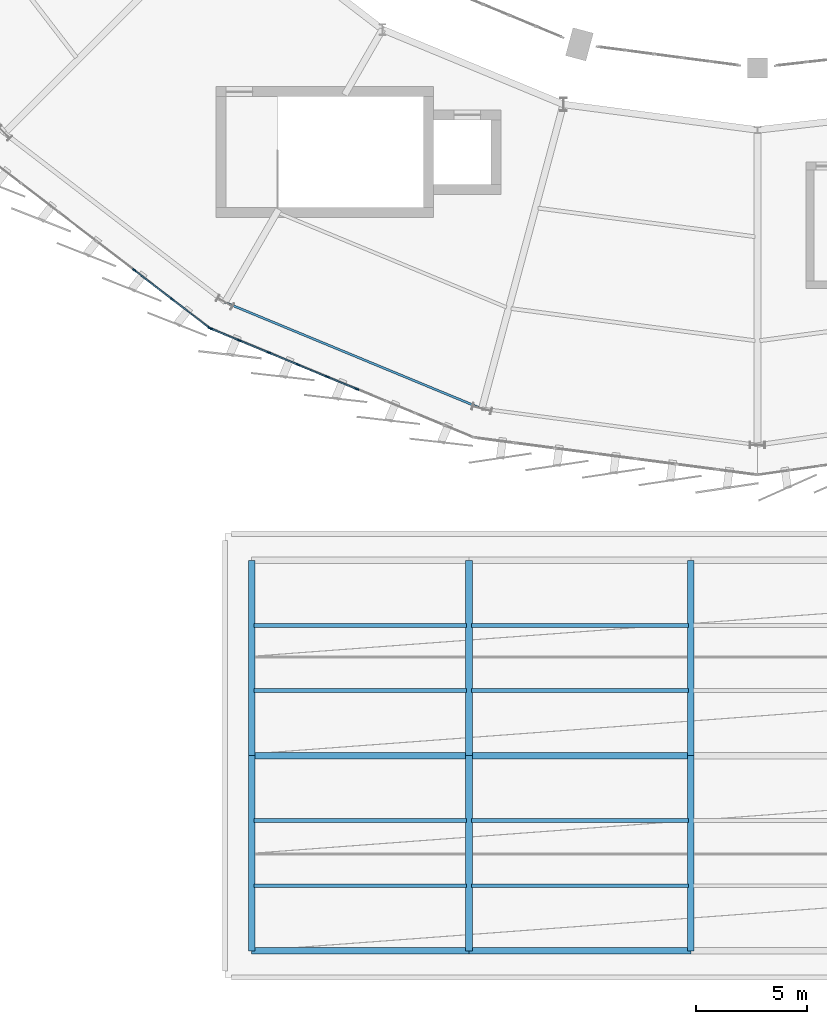
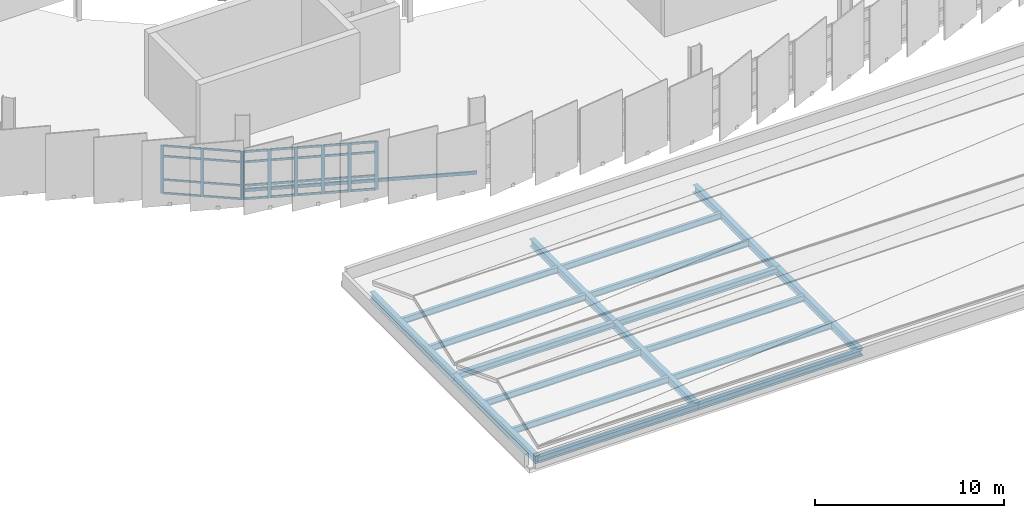
# One storey, part 11 of 67: 37 members, 19 beams, 2 elements without a shape of their own.
"""IFC4 building model written with IfcOpenShell, lengths in metres."""

from ifc_helpers import new_model, si_unit, direction, frame, origin, origin_2d, place, context, subcontext, project, spatial, rectangle, hollow_rectangle, i_section, extrude, material, layer, layer_set, material_profile, profile_set, type_object, element, aggregate, save


model = new_model("IFC4")

# Units and contexts
model_context = context("Model", 3, precision=1e-05, world=origin(), true_north=direction((0.0, 1.0)))
body_context = subcontext(model_context, "Body", "Model", "MODEL_VIEW")
ifc_project = project(units=[si_unit("LENGTHUNIT", "METRE"), si_unit("AREAUNIT", "SQUARE_METRE"), si_unit("VOLUMEUNIT", "CUBIC_METRE"), si_unit("PLANEANGLEUNIT", "RADIAN"), si_unit("MASSUNIT", "GRAM", prefix="KILO")], contexts=[model_context])

# Site, building, storey
site_placement = place(None, origin())
site = spatial("IfcSite", under=ifc_project, at=site_placement, CompositionType="ELEMENT")
building_placement = place(site_placement, origin())
building = spatial("IfcBuilding", under=site, at=building_placement, Name="Sohan Crest Arena", CompositionType="ELEMENT")
storey_placement = place(building_placement, frame((0.0, 0.0, 22.5)))
storey = spatial("IfcBuildingStorey", under=building, at=storey_placement, Name="L05", CompositionType="ELEMENT", Elevation=22.5)

# Curtain wall, members
ifc_material_1 = material(Name="Thermally broken anodised aluminium", Category="aluminium")
ifc_layer_1 = layer(ifc_material_1, 0.239990234375, Name="Thermally broken anodised aluminium")
ifc_layer_set_1 = layer_set([ifc_layer_1], Name="Thermally broken anodised aluminium")
curtain_wall_type_1 = type_object("IfcCurtainWallType", Name="ARC-CW04", PredefinedType="NOTDEFINED", material=ifc_layer_set_1)
curtain_wall_1_placement = place(storey_placement, origin())
curtain_wall_1 = element("IfcCurtainWall", 1, at=curtain_wall_1_placement, inside=storey, type_object=curtain_wall_type_1, Name="Unitised curtain wall CW-155", PredefinedType="NOTDEFINED")
ifc_material_profile_1 = material_profile(ifc_material_1, rectangle(XDim=0.06494140625, YDim=0.179931640625, at=origin_2d()), Name="ALU-MULL 65x180")
ifc_profile_set_1 = profile_set([ifc_material_profile_1], Name="Thermally broken anodised aluminium")
member_type_1 = type_object("IfcMemberType", Name="ARC-CW-ML02", PredefinedType="MULLION", material=ifc_profile_set_1)
member_1_placement = place(storey_placement, frame((69.91796875, 37.8759765625, 0.0), z_axis=(0.0, 0.0, 1.0), x_axis=(0.60871994181, 0.793385172815, 0.0)))
member_1 = element("IfcMember", 2, at=member_1_placement, type_object=member_type_1, Name="CW-155 mullion 5", PredefinedType="MULLION", context=body_context, shape_type="SweptSolid", body=[
    extrude(rectangle(XDim=0.06494140625, YDim=0.179931640625, at=origin_2d()), origin(), (0.0, 0.0, 1.0), 3.1201171875),
])
member_2_placement = place(storey_placement, frame((71.62158203125, 36.569091796875, 0.0), z_axis=(0.0, 0.0, 1.0), x_axis=(0.60871994181, 0.793385172815, 0.0)))
member_2 = element("IfcMember", 3, at=member_2_placement, type_object=member_type_1, Name="CW-155 mullion 6", PredefinedType="MULLION", context=body_context, shape_type="SweptSolid", body=[
    extrude(rectangle(XDim=0.06494140625, YDim=0.179931640625, at=origin_2d()), origin(), (0.0, 0.0, 1.0), 3.1201171875),
])
member_3_placement = place(storey_placement, frame((73.29931640625, 35.28173828125, 0.0), z_axis=(0.0, 0.0, 1.0), x_axis=(0.60871994181, 0.793385172815, 0.0)))
member_3 = element("IfcMember", 4, at=member_3_placement, type_object=member_type_1, Name="CW-155 mullion 7", PredefinedType="MULLION", context=body_context, shape_type="SweptSolid", body=[
    extrude(rectangle(XDim=0.06494140625, YDim=0.179931640625, at=origin_2d()), origin(), (0.0, 0.0, 1.0), 3.1201171875),
])

ifc_layer_2 = layer(ifc_material_1, 0.18994140625, Name="Thermally broken anodised aluminium")
ifc_layer_set_2 = layer_set([ifc_layer_2], Name="Thermally broken anodised aluminium")
curtain_wall_type_2 = type_object("IfcCurtainWallType", Name="ARC-CW05", PredefinedType="NOTDEFINED", material=ifc_layer_set_2)
curtain_wall_2_placement = place(storey_placement, origin())
curtain_wall_2 = element("IfcCurtainWall", 5, at=curtain_wall_2_placement, inside=storey, type_object=curtain_wall_type_2, Name="Unitised curtain wall CW-156", PredefinedType="NOTDEFINED")
ifc_material_profile_2 = material_profile(ifc_material_1, rectangle(XDim=0.070068359375, YDim=0.199951171875, at=origin_2d()), Name="ALU-MULL 70x200")
ifc_profile_set_2 = profile_set([ifc_material_profile_2], Name="Thermally broken anodised aluminium")
member_type_2 = type_object("IfcMemberType", Name="ARC-CW-ML03", PredefinedType="MULLION", material=ifc_profile_set_2)
member_4_placement = place(storey_placement, frame((73.357421875, 35.24853515625, 0.0), z_axis=(0.0, 0.0, 1.0), x_axis=(0.382685432009, 0.923878704229, 0.0)))
member_4 = element("IfcMember", 6, at=member_4_placement, type_object=member_type_2, Name="CW-156 mullion 1", PredefinedType="MULLION", context=body_context, shape_type="SweptSolid", body=[
    extrude(rectangle(XDim=0.070068359375, YDim=0.199951171875, at=origin_2d()), origin(), (0.0, 0.0, 1.0), 3.1201171875),
])
member_5_placement = place(storey_placement, frame((74.6474609375, 34.714111328125, 0.0), z_axis=(0.0, 0.0, 1.0), x_axis=(0.382685432009, 0.923878704229, 0.0)))
member_5 = element("IfcMember", 7, at=member_5_placement, type_object=member_type_2, Name="CW-156 mullion 2", PredefinedType="MULLION", context=body_context, shape_type="SweptSolid", body=[
    extrude(rectangle(XDim=0.070068359375, YDim=0.199951171875, at=origin_2d()), origin(), (0.0, 0.0, 1.0), 3.1201171875),
])
member_6_placement = place(storey_placement, frame((75.969970703125, 34.16650390625, 0.0), z_axis=(0.0, 0.0, 1.0), x_axis=(0.382685432009, 0.923878704229, 0.0)))
member_6 = element("IfcMember", 8, at=member_6_placement, type_object=member_type_2, Name="CW-156 mullion 3", PredefinedType="MULLION", context=body_context, shape_type="SweptSolid", body=[
    extrude(rectangle(XDim=0.070068359375, YDim=0.199951171875, at=origin_2d()), origin(), (0.0, 0.0, 1.0), 3.1201171875),
])
member_7_placement = place(storey_placement, frame((77.292236328125, 33.61865234375, 0.0), z_axis=(0.0, 0.0, 1.0), x_axis=(0.382685432009, 0.923878704229, 0.0)))
member_7 = element("IfcMember", 9, at=member_7_placement, type_object=member_type_2, Name="CW-156 mullion 4", PredefinedType="MULLION", context=body_context, shape_type="SweptSolid", body=[
    extrude(rectangle(XDim=0.070068359375, YDim=0.199951171875, at=origin_2d()), origin(), (0.0, 0.0, 1.0), 3.1201171875),
])
member_8_placement = place(storey_placement, frame((78.61474609375, 33.07080078125, 0.0), z_axis=(0.0, 0.0, 1.0), x_axis=(0.382685432009, 0.923878704229, 0.0)))
member_8 = element("IfcMember", 10, at=member_8_placement, type_object=member_type_2, Name="CW-156 mullion 5", PredefinedType="MULLION", context=body_context, shape_type="SweptSolid", body=[
    extrude(rectangle(XDim=0.070068359375, YDim=0.199951171875, at=origin_2d()), origin(), (0.0, 0.0, 1.0), 3.1201171875),
])
member_9_placement = place(storey_placement, frame((79.937255859375, 32.523193359375, 0.0), z_axis=(0.0, 0.0, 1.0), x_axis=(0.382685432009, 0.923878704229, 0.0)))
member_9 = element("IfcMember", 11, at=member_9_placement, type_object=member_type_2, Name="CW-156 mullion 6", PredefinedType="MULLION", context=body_context, shape_type="SweptSolid", body=[
    extrude(rectangle(XDim=0.070068359375, YDim=0.199951171875, at=origin_2d()), origin(), (0.0, 0.0, 1.0), 3.1201171875),
])

# Member
ifc_material_profile_3 = material_profile(ifc_material_1, rectangle(XDim=0.06005859375, YDim=0.1201171875, at=origin_2d()), Name="ALU-TRAN 60x120")
ifc_profile_set_3 = profile_set([ifc_material_profile_3], Name="Thermally broken anodised aluminium")
member_type_3 = type_object("IfcMemberType", Name="ARC-CW-TR01", PredefinedType="USERDEFINED", material=ifc_profile_set_3)
member_10_placement = place(storey_placement, frame((69.94384765625, 37.856201171875, 0.030029296875), z_axis=(0.79339492991, -0.608707224529, 0.0), x_axis=(0.608707224529, 0.79339492991, 0.0)))
member_10 = element("IfcMember", 12, at=member_10_placement, type_object=member_type_3, Name="CW-155 transom 5.1", ObjectType="TRANSOM", PredefinedType="USERDEFINED", context=body_context, shape_type="SweptSolid", body=[
    extrude(rectangle(XDim=0.06005859375, YDim=0.1201171875, at=origin_2d()), origin(), (0.0, 0.0, 1.0), 2.08203125),
])

member_11_placement = place(storey_placement, frame((69.94384765625, 37.856201171875, 0.89990234375), z_axis=(0.79339492991, -0.608707224529, 0.0), x_axis=(0.608707224529, 0.79339492991, 0.0)))
member_11 = element("IfcMember", 13, at=member_11_placement, type_object=member_type_3, Name="CW-155 transom 5.2", ObjectType="TRANSOM", PredefinedType="USERDEFINED", context=body_context, shape_type="SweptSolid", body=[
    extrude(rectangle(XDim=0.06005859375, YDim=0.1201171875, at=origin_2d()), origin(), (0.0, 0.0, 1.0), 2.08203125),
])

member_12_placement = place(storey_placement, frame((69.94384765625, 37.856201171875, 2.419921875), z_axis=(0.79339492991, -0.608707224529, 0.0), x_axis=(0.608707224529, 0.79339492991, 0.0)))
member_12 = element("IfcMember", 14, at=member_12_placement, type_object=member_type_3, Name="CW-155 transom 5.3", ObjectType="TRANSOM", PredefinedType="USERDEFINED", context=body_context, shape_type="SweptSolid", body=[
    extrude(rectangle(XDim=0.06005859375, YDim=0.1201171875, at=origin_2d()), origin(), (0.0, 0.0, 1.0), 2.08203125),
])

member_13_placement = place(storey_placement, frame((69.94384765625, 37.856201171875, 3.090087890625), z_axis=(0.79339492991, -0.608707224529, 0.0), x_axis=(0.608707224529, 0.79339492991, 0.0)))
member_13 = element("IfcMember", 15, at=member_13_placement, type_object=member_type_3, Name="CW-155 transom 5.4", ObjectType="TRANSOM", PredefinedType="USERDEFINED", context=body_context, shape_type="SweptSolid", body=[
    extrude(rectangle(XDim=0.06005859375, YDim=0.1201171875, at=origin_2d()), origin(), (0.0, 0.0, 1.0), 2.08203125),
])

member_14_placement = place(storey_placement, frame((71.647216796875, 36.54931640625, 0.030029296875), z_axis=(0.793362835442, -0.608749054488, 0.0), x_axis=(0.608749054488, 0.793362835442, 0.0)))
member_14 = element("IfcMember", 16, at=member_14_placement, type_object=member_type_3, Name="CW-155 transom 6.1", ObjectType="TRANSOM", PredefinedType="USERDEFINED", context=body_context, shape_type="SweptSolid", body=[
    extrude(rectangle(XDim=0.06005859375, YDim=0.1201171875, at=origin_2d()), origin(), (0.0, 0.0, 1.0), 2.0498046875),
])

member_15_placement = place(storey_placement, frame((71.647216796875, 36.54931640625, 0.89990234375), z_axis=(0.793362835442, -0.608749054488, 0.0), x_axis=(0.608749054488, 0.793362835442, 0.0)))
member_15 = element("IfcMember", 17, at=member_15_placement, type_object=member_type_3, Name="CW-155 transom 6.2", ObjectType="TRANSOM", PredefinedType="USERDEFINED", context=body_context, shape_type="SweptSolid", body=[
    extrude(rectangle(XDim=0.06005859375, YDim=0.1201171875, at=origin_2d()), origin(), (0.0, 0.0, 1.0), 2.0498046875),
])

member_16_placement = place(storey_placement, frame((71.647216796875, 36.54931640625, 2.419921875), z_axis=(0.793362835442, -0.608749054488, 0.0), x_axis=(0.608749054488, 0.793362835442, 0.0)))
member_16 = element("IfcMember", 18, at=member_16_placement, type_object=member_type_3, Name="CW-155 transom 6.3", ObjectType="TRANSOM", PredefinedType="USERDEFINED", context=body_context, shape_type="SweptSolid", body=[
    extrude(rectangle(XDim=0.06005859375, YDim=0.1201171875, at=origin_2d()), origin(), (0.0, 0.0, 1.0), 2.0498046875),
])

member_17_placement = place(storey_placement, frame((71.647216796875, 36.54931640625, 3.090087890625), z_axis=(0.793362835442, -0.608749054488, 0.0), x_axis=(0.608749054488, 0.793362835442, 0.0)))
member_17 = element("IfcMember", 19, at=member_17_placement, type_object=member_type_3, Name="CW-155 transom 6.4", ObjectType="TRANSOM", PredefinedType="USERDEFINED", context=body_context, shape_type="SweptSolid", body=[
    extrude(rectangle(XDim=0.06005859375, YDim=0.1201171875, at=origin_2d()), origin(), (0.0, 0.0, 1.0), 2.0498046875),
])

aggregate(curtain_wall_1, [member_1, member_2, member_3, member_10, member_11, member_12, member_13, member_14, member_15, member_16, member_17])

ifc_material_profile_4 = material_profile(ifc_material_1, rectangle(XDim=0.06494140625, YDim=0.139892578125, at=origin_2d()), Name="ALU-TRAN 65x140")
ifc_profile_set_4 = profile_set([ifc_material_profile_4], Name="Thermally broken anodised aluminium")
member_type_4 = type_object("IfcMemberType", Name="ARC-CW-TR02", PredefinedType="USERDEFINED", material=ifc_profile_set_4)
member_18_placement = place(storey_placement, frame((73.3896484375, 35.235107421875, 0.032470703125), z_axis=(0.923875488976, -0.382693194178, 0.0), x_axis=(0.382693194178, 0.923875488976, 0.0)))
member_18 = element("IfcMember", 20, at=member_18_placement, type_object=member_type_4, Name="CW-156 transom 1.1", ObjectType="TRANSOM", PredefinedType="USERDEFINED", context=body_context, shape_type="SweptSolid", body=[
    extrude(rectangle(XDim=0.06494140625, YDim=0.139892578125, at=origin_2d()), origin(), (0.0, 0.0, 1.0), 1.326416015625),
])

member_19_placement = place(storey_placement, frame((73.3896484375, 35.235107421875, 0.89990234375), z_axis=(0.923875488976, -0.382693194178, 0.0), x_axis=(0.382693194178, 0.923875488976, 0.0)))
member_19 = element("IfcMember", 21, at=member_19_placement, type_object=member_type_4, Name="CW-156 transom 1.2", ObjectType="TRANSOM", PredefinedType="USERDEFINED", context=body_context, shape_type="SweptSolid", body=[
    extrude(rectangle(XDim=0.06494140625, YDim=0.139892578125, at=origin_2d()), origin(), (0.0, 0.0, 1.0), 1.326416015625),
])

member_20_placement = place(storey_placement, frame((73.3896484375, 35.235107421875, 2.419921875), z_axis=(0.923875488976, -0.382693194178, 0.0), x_axis=(0.382693194178, 0.923875488976, 0.0)))
member_20 = element("IfcMember", 22, at=member_20_placement, type_object=member_type_4, Name="CW-156 transom 1.3", ObjectType="TRANSOM", PredefinedType="USERDEFINED", context=body_context, shape_type="SweptSolid", body=[
    extrude(rectangle(XDim=0.06494140625, YDim=0.139892578125, at=origin_2d()), origin(), (0.0, 0.0, 1.0), 1.326416015625),
])

member_21_placement = place(storey_placement, frame((73.3896484375, 35.235107421875, 3.08740234375), z_axis=(0.923875488976, -0.382693194178, 0.0), x_axis=(0.382693194178, 0.923875488976, 0.0)))
member_21 = element("IfcMember", 23, at=member_21_placement, type_object=member_type_4, Name="CW-156 transom 1.4", ObjectType="TRANSOM", PredefinedType="USERDEFINED", context=body_context, shape_type="SweptSolid", body=[
    extrude(rectangle(XDim=0.06494140625, YDim=0.139892578125, at=origin_2d()), origin(), (0.0, 0.0, 1.0), 1.326416015625),
])

member_22_placement = place(storey_placement, frame((74.6796875, 34.700927734375, 0.032470703125), z_axis=(0.923881325056, -0.38267910475, 0.0), x_axis=(0.38267910475, 0.923881325056, 0.0)))
member_22 = element("IfcMember", 24, at=member_22_placement, type_object=member_type_4, Name="CW-156 transom 2.1", ObjectType="TRANSOM", PredefinedType="USERDEFINED", context=body_context, shape_type="SweptSolid", body=[
    extrude(rectangle(XDim=0.06494140625, YDim=0.139892578125, at=origin_2d()), origin(), (0.0, 0.0, 1.0), 1.361328125),
])

member_23_placement = place(storey_placement, frame((74.6796875, 34.700927734375, 0.89990234375), z_axis=(0.923881325056, -0.38267910475, 0.0), x_axis=(0.38267910475, 0.923881325056, 0.0)))
member_23 = element("IfcMember", 25, at=member_23_placement, type_object=member_type_4, Name="CW-156 transom 2.2", ObjectType="TRANSOM", PredefinedType="USERDEFINED", context=body_context, shape_type="SweptSolid", body=[
    extrude(rectangle(XDim=0.06494140625, YDim=0.139892578125, at=origin_2d()), origin(), (0.0, 0.0, 1.0), 1.361328125),
])

member_24_placement = place(storey_placement, frame((74.6796875, 34.700927734375, 2.419921875), z_axis=(0.923881325056, -0.38267910475, 0.0), x_axis=(0.38267910475, 0.923881325056, 0.0)))
member_24 = element("IfcMember", 26, at=member_24_placement, type_object=member_type_4, Name="CW-156 transom 2.3", ObjectType="TRANSOM", PredefinedType="USERDEFINED", context=body_context, shape_type="SweptSolid", body=[
    extrude(rectangle(XDim=0.06494140625, YDim=0.139892578125, at=origin_2d()), origin(), (0.0, 0.0, 1.0), 1.361328125),
])

member_25_placement = place(storey_placement, frame((74.6796875, 34.700927734375, 3.08740234375), z_axis=(0.923881325056, -0.38267910475, 0.0), x_axis=(0.38267910475, 0.923881325056, 0.0)))
member_25 = element("IfcMember", 27, at=member_25_placement, type_object=member_type_4, Name="CW-156 transom 2.4", ObjectType="TRANSOM", PredefinedType="USERDEFINED", context=body_context, shape_type="SweptSolid", body=[
    extrude(rectangle(XDim=0.06494140625, YDim=0.139892578125, at=origin_2d()), origin(), (0.0, 0.0, 1.0), 1.361328125),
])

member_26_placement = place(storey_placement, frame((76.002197265625, 34.153076171875, 0.032470703125), z_axis=(0.923881325056, -0.38267910475, 0.0), x_axis=(0.38267910475, 0.923881325056, 0.0)))
member_26 = element("IfcMember", 28, at=member_26_placement, type_object=member_type_4, Name="CW-156 transom 3.1", ObjectType="TRANSOM", PredefinedType="USERDEFINED", context=body_context, shape_type="SweptSolid", body=[
    extrude(rectangle(XDim=0.06494140625, YDim=0.139892578125, at=origin_2d()), origin(), (0.0, 0.0, 1.0), 1.361328125),
])

member_27_placement = place(storey_placement, frame((76.002197265625, 34.153076171875, 0.89990234375), z_axis=(0.923881325056, -0.38267910475, 0.0), x_axis=(0.38267910475, 0.923881325056, 0.0)))
member_27 = element("IfcMember", 29, at=member_27_placement, type_object=member_type_4, Name="CW-156 transom 3.2", ObjectType="TRANSOM", PredefinedType="USERDEFINED", context=body_context, shape_type="SweptSolid", body=[
    extrude(rectangle(XDim=0.06494140625, YDim=0.139892578125, at=origin_2d()), origin(), (0.0, 0.0, 1.0), 1.361328125),
])

member_28_placement = place(storey_placement, frame((76.002197265625, 34.153076171875, 2.419921875), z_axis=(0.923881325056, -0.38267910475, 0.0), x_axis=(0.38267910475, 0.923881325056, 0.0)))
member_28 = element("IfcMember", 30, at=member_28_placement, type_object=member_type_4, Name="CW-156 transom 3.3", ObjectType="TRANSOM", PredefinedType="USERDEFINED", context=body_context, shape_type="SweptSolid", body=[
    extrude(rectangle(XDim=0.06494140625, YDim=0.139892578125, at=origin_2d()), origin(), (0.0, 0.0, 1.0), 1.361328125),
])

member_29_placement = place(storey_placement, frame((76.002197265625, 34.153076171875, 3.08740234375), z_axis=(0.923881325056, -0.38267910475, 0.0), x_axis=(0.38267910475, 0.923881325056, 0.0)))
member_29 = element("IfcMember", 31, at=member_29_placement, type_object=member_type_4, Name="CW-156 transom 3.4", ObjectType="TRANSOM", PredefinedType="USERDEFINED", context=body_context, shape_type="SweptSolid", body=[
    extrude(rectangle(XDim=0.06494140625, YDim=0.139892578125, at=origin_2d()), origin(), (0.0, 0.0, 1.0), 1.361328125),
])

member_30_placement = place(storey_placement, frame((77.32470703125, 33.605224609375, 0.032470703125), z_axis=(0.923881325056, -0.38267910475, 0.0), x_axis=(0.38267910475, 0.923881325056, 0.0)))
member_30 = element("IfcMember", 32, at=member_30_placement, type_object=member_type_4, Name="CW-156 transom 4.1", ObjectType="TRANSOM", PredefinedType="USERDEFINED", context=body_context, shape_type="SweptSolid", body=[
    extrude(rectangle(XDim=0.06494140625, YDim=0.139892578125, at=origin_2d()), origin(), (0.0, 0.0, 1.0), 1.361328125),
])

member_31_placement = place(storey_placement, frame((77.32470703125, 33.605224609375, 0.89990234375), z_axis=(0.923881325056, -0.38267910475, 0.0), x_axis=(0.38267910475, 0.923881325056, 0.0)))
member_31 = element("IfcMember", 33, at=member_31_placement, type_object=member_type_4, Name="CW-156 transom 4.2", ObjectType="TRANSOM", PredefinedType="USERDEFINED", context=body_context, shape_type="SweptSolid", body=[
    extrude(rectangle(XDim=0.06494140625, YDim=0.139892578125, at=origin_2d()), origin(), (0.0, 0.0, 1.0), 1.361328125),
])

member_32_placement = place(storey_placement, frame((77.32470703125, 33.605224609375, 2.419921875), z_axis=(0.923881325056, -0.38267910475, 0.0), x_axis=(0.38267910475, 0.923881325056, 0.0)))
member_32 = element("IfcMember", 34, at=member_32_placement, type_object=member_type_4, Name="CW-156 transom 4.3", ObjectType="TRANSOM", PredefinedType="USERDEFINED", context=body_context, shape_type="SweptSolid", body=[
    extrude(rectangle(XDim=0.06494140625, YDim=0.139892578125, at=origin_2d()), origin(), (0.0, 0.0, 1.0), 1.361328125),
])

member_33_placement = place(storey_placement, frame((77.32470703125, 33.605224609375, 3.08740234375), z_axis=(0.923881325056, -0.38267910475, 0.0), x_axis=(0.38267910475, 0.923881325056, 0.0)))
member_33 = element("IfcMember", 35, at=member_33_placement, type_object=member_type_4, Name="CW-156 transom 4.4", ObjectType="TRANSOM", PredefinedType="USERDEFINED", context=body_context, shape_type="SweptSolid", body=[
    extrude(rectangle(XDim=0.06494140625, YDim=0.139892578125, at=origin_2d()), origin(), (0.0, 0.0, 1.0), 1.361328125),
])

member_34_placement = place(storey_placement, frame((78.647216796875, 33.057373046875, 0.032470703125), z_axis=(0.923918468787, -0.38258941835, 0.0), x_axis=(0.38258941835, 0.923918468787, 0.0)))
member_34 = element("IfcMember", 36, at=member_34_placement, type_object=member_type_4, Name="CW-156 transom 5.1", ObjectType="TRANSOM", PredefinedType="USERDEFINED", context=body_context, shape_type="SweptSolid", body=[
    extrude(rectangle(XDim=0.06494140625, YDim=0.139892578125, at=origin_2d()), origin(), (0.0, 0.0, 1.0), 1.361083984375),
])

member_35_placement = place(storey_placement, frame((78.647216796875, 33.057373046875, 0.89990234375), z_axis=(0.923918468787, -0.38258941835, 0.0), x_axis=(0.38258941835, 0.923918468787, 0.0)))
member_35 = element("IfcMember", 37, at=member_35_placement, type_object=member_type_4, Name="CW-156 transom 5.2", ObjectType="TRANSOM", PredefinedType="USERDEFINED", context=body_context, shape_type="SweptSolid", body=[
    extrude(rectangle(XDim=0.06494140625, YDim=0.139892578125, at=origin_2d()), origin(), (0.0, 0.0, 1.0), 1.361083984375),
])

member_36_placement = place(storey_placement, frame((78.647216796875, 33.057373046875, 2.419921875), z_axis=(0.923918468787, -0.38258941835, 0.0), x_axis=(0.38258941835, 0.923918468787, 0.0)))
member_36 = element("IfcMember", 38, at=member_36_placement, type_object=member_type_4, Name="CW-156 transom 5.3", ObjectType="TRANSOM", PredefinedType="USERDEFINED", context=body_context, shape_type="SweptSolid", body=[
    extrude(rectangle(XDim=0.06494140625, YDim=0.139892578125, at=origin_2d()), origin(), (0.0, 0.0, 1.0), 1.361083984375),
])

member_37_placement = place(storey_placement, frame((78.647216796875, 33.057373046875, 3.08740234375), z_axis=(0.923918468787, -0.38258941835, 0.0), x_axis=(0.38258941835, 0.923918468787, 0.0)))
member_37 = element("IfcMember", 39, at=member_37_placement, type_object=member_type_4, Name="CW-156 transom 5.4", ObjectType="TRANSOM", PredefinedType="USERDEFINED", context=body_context, shape_type="SweptSolid", body=[
    extrude(rectangle(XDim=0.06494140625, YDim=0.139892578125, at=origin_2d()), origin(), (0.0, 0.0, 1.0), 1.361083984375),
])

aggregate(curtain_wall_2, [member_4, member_5, member_6, member_7, member_8, member_9, member_18, member_19, member_20, member_21, member_22, member_23, member_24, member_25, member_26, member_27, member_28, member_29, member_30, member_31, member_32, member_33, member_34, member_35, member_36, member_37])

# Beams
ifc_material_2 = material(Name="Steel S355", Category="steel")
ifc_material_profile_5 = material_profile(ifc_material_2, i_section(OverallWidth=0.179931640625, OverallDepth=0.39990234375, WebThickness=0.008544921875, FlangeThickness=0.013427734375, at=origin_2d()), Name="IPE 400")
ifc_profile_set_5 = profile_set([ifc_material_profile_5], Name="Steel S355")
beam_type_1 = type_object("IfcBeamType", Name="STR-BM-B03", PredefinedType="JOIST", material=ifc_profile_set_5)
for number, where, z_axis, x_axis, name in (
    (40, (75.31005859375, 10.133056640625, -0.43994140625), (1.0, 0.0, 0.0), (0.0, 1.0, 0.0), "Structural beam J-L05-2864"),
    (41, (75.31005859375, 13.06689453125, -0.43994140625), (1.0, 0.0, 0.0), (0.0, 1.0, 0.0), "Structural beam J-L05-2865"),
):
    element("IfcBeam", number, at=place(storey_placement, frame(where, z_axis=z_axis, x_axis=x_axis)), inside=storey, type_object=beam_type_1, Name=name, PredefinedType="JOIST", context=body_context, shape_type="SweptSolid", body=[
        extrude(i_section(OverallWidth=0.179931640625, OverallDepth=0.39990234375, WebThickness=0.008544921875, FlangeThickness=0.013427734375, at=origin_2d()), origin(), (0.0, 0.0, 1.0), 9.579833984375),
    ])
for number, where, z_axis, x_axis, name in (
    (42, (85.110107421875, 10.133056640625, -0.43994140625), (1.0, 0.0, 0.0), (0.0, 1.0, 0.0), "Structural beam J-L05-2867"),
    (43, (85.110107421875, 13.06689453125, -0.43994140625), (1.0, 0.0, 0.0), (0.0, 1.0, 0.0), "Structural beam J-L05-2868"),
):
    element("IfcBeam", number, at=place(storey_placement, frame(where, z_axis=z_axis, x_axis=x_axis)), inside=storey, type_object=beam_type_1, Name=name, PredefinedType="JOIST", context=body_context, shape_type="SweptSolid", body=[
        extrude(i_section(OverallWidth=0.179931640625, OverallDepth=0.39990234375, WebThickness=0.008544921875, FlangeThickness=0.013427734375, at=origin_2d()), origin(), (0.0, 0.0, 1.0), 9.77978515625),
    ])
for number, where, z_axis, x_axis, name in (
    (44, (75.31005859375, 18.93310546875, -0.43994140625), (1.0, 0.0, 0.0), (0.0, 1.0, 0.0), "Structural beam J-L05-2885"),
    (45, (75.31005859375, 21.866943359375, -0.43994140625), (1.0, 0.0, 0.0), (0.0, 1.0, 0.0), "Structural beam J-L05-2886"),
):
    element("IfcBeam", number, at=place(storey_placement, frame(where, z_axis=z_axis, x_axis=x_axis)), inside=storey, type_object=beam_type_1, Name=name, PredefinedType="JOIST", context=body_context, shape_type="SweptSolid", body=[
        extrude(i_section(OverallWidth=0.179931640625, OverallDepth=0.39990234375, WebThickness=0.008544921875, FlangeThickness=0.013427734375, at=origin_2d()), origin(), (0.0, 0.0, 1.0), 9.579833984375),
    ])
for number, where, z_axis, x_axis, name in (
    (46, (85.110107421875, 18.93310546875, -0.43994140625), (1.0, 0.0, 0.0), (0.0, 1.0, 0.0), "Structural beam J-L05-2888"),
    (47, (85.110107421875, 21.866943359375, -0.43994140625), (1.0, 0.0, 0.0), (0.0, 1.0, 0.0), "Structural beam J-L05-2889"),
):
    element("IfcBeam", number, at=place(storey_placement, frame(where, z_axis=z_axis, x_axis=x_axis)), inside=storey, type_object=beam_type_1, Name=name, PredefinedType="JOIST", context=body_context, shape_type="SweptSolid", body=[
        extrude(i_section(OverallWidth=0.179931640625, OverallDepth=0.39990234375, WebThickness=0.008544921875, FlangeThickness=0.013427734375, at=origin_2d()), origin(), (0.0, 0.0, 1.0), 9.77978515625),
    ])
ifc_material_profile_6 = material_profile(ifc_material_2, i_section(OverallWidth=0.300048828125, OverallDepth=0.389892578125, WebThickness=0.010986328125, FlangeThickness=0.01904296875, at=origin_2d()), Name="HEA 400")
ifc_profile_set_6 = profile_set([ifc_material_profile_6], Name="Steel S355")
beam_type_2 = type_object("IfcBeamType", Name="STR-BM-B09", PredefinedType="BEAM", material=ifc_profile_set_6)
beam_1_placement = place(storey_placement, frame((75.199951171875, 7.199951171875, -0.43505859375), z_axis=(1.0, 0.0, 0.0), x_axis=(0.0, 1.0, 0.0)))
element("IfcBeam", 48, at=beam_1_placement, inside=storey, type_object=beam_type_2, Name="Structural beam G-L05-2863", PredefinedType="BEAM", context=body_context, shape_type="SweptSolid", body=[
    extrude(i_section(OverallWidth=0.300048828125, OverallDepth=0.389892578125, WebThickness=0.010986328125, FlangeThickness=0.01904296875, at=origin_2d()), origin(), (0.0, 0.0, 1.0), 9.800048828125),
])
beam_2_placement = place(storey_placement, frame((85.0, 7.199951171875, -0.43505859375), z_axis=(1.0, 0.0, 0.0), x_axis=(0.0, 1.0, 0.0)))
element("IfcBeam", 49, at=beam_2_placement, inside=storey, type_object=beam_type_2, Name="Structural beam G-L05-2866", PredefinedType="BEAM", context=body_context, shape_type="SweptSolid", body=[
    extrude(i_section(OverallWidth=0.300048828125, OverallDepth=0.389892578125, WebThickness=0.010986328125, FlangeThickness=0.01904296875, at=origin_2d()), origin(), (0.0, 0.0, 1.0), 10.0),
])
beam_3_placement = place(storey_placement, frame((75.199951171875, 16.0, -0.43505859375), z_axis=(1.0, 0.0, 0.0), x_axis=(0.0, 1.0, 0.0)))
element("IfcBeam", 50, at=beam_3_placement, inside=storey, type_object=beam_type_2, Name="Structural beam G-L05-2884", PredefinedType="BEAM", context=body_context, shape_type="SweptSolid", body=[
    extrude(i_section(OverallWidth=0.300048828125, OverallDepth=0.389892578125, WebThickness=0.010986328125, FlangeThickness=0.01904296875, at=origin_2d()), origin(), (0.0, 0.0, 1.0), 9.800048828125),
])
beam_4_placement = place(storey_placement, frame((85.0, 16.0, -0.43505859375), z_axis=(1.0, 0.0, 0.0), x_axis=(0.0, 1.0, 0.0)))
element("IfcBeam", 51, at=beam_4_placement, inside=storey, type_object=beam_type_2, Name="Structural beam G-L05-2887", PredefinedType="BEAM", context=body_context, shape_type="SweptSolid", body=[
    extrude(i_section(OverallWidth=0.300048828125, OverallDepth=0.389892578125, WebThickness=0.010986328125, FlangeThickness=0.01904296875, at=origin_2d()), origin(), (0.0, 0.0, 1.0), 10.0),
])
ifc_material_profile_7 = material_profile(ifc_material_2, i_section(OverallWidth=0.300048828125, OverallDepth=0.489990234375, WebThickness=0.011962890625, FlangeThickness=0.02294921875, at=origin_2d()), Name="HEA 500")
ifc_profile_set_7 = profile_set([ifc_material_profile_7], Name="Steel S355")
beam_type_3 = type_object("IfcBeamType", Name="STR-BM-B10", PredefinedType="BEAM", material=ifc_profile_set_7)
for number, where, z_axis, x_axis, name in (
    (52, (75.199951171875, 7.199951171875, -0.485107421875), (0.0, 1.0, 0.0), (-1.0, 0.0, 0.0), "Structural beam G-L05-2847"),
    (53, (75.199951171875, 16.0, -0.485107421875), (0.0, 1.0, 0.0), (-1.0, 0.0, 0.0), "Structural beam G-L05-2848"),
    (54, (85.0, 7.199951171875, -0.485107421875), (0.0, 1.0, 0.0), (-1.0, 0.0, 0.0), "Structural beam G-L05-2849"),
    (55, (85.0, 16.0, -0.485107421875), (0.0, 1.0, 0.0), (-1.0, 0.0, 0.0), "Structural beam G-L05-2850"),
    (56, (95.0, 7.199951171875, -0.485107421875), (0.0, 1.0, 0.0), (-1.0, 0.0, 0.0), "Structural beam G-L05-2851"),
    (57, (95.0, 16.0, -0.485107421875), (0.0, 1.0, 0.0), (-1.0, 0.0, 0.0), "Structural beam G-L05-2852"),
):
    element("IfcBeam", number, at=place(storey_placement, frame(where, z_axis=z_axis, x_axis=x_axis)), inside=storey, type_object=beam_type_3, Name=name, PredefinedType="BEAM", context=body_context, shape_type="SweptSolid", body=[
        extrude(i_section(OverallWidth=0.300048828125, OverallDepth=0.489990234375, WebThickness=0.011962890625, FlangeThickness=0.02294921875, at=origin_2d()), origin(), (0.0, 0.0, 1.0), 8.800048828125),
    ])
ifc_material_profile_8 = material_profile(ifc_material_2, hollow_rectangle(XDim=0.10009765625, YDim=0.199951171875, WallThickness=0.008056640625, at=origin_2d()), Name="RHS 200x100x8")
ifc_profile_set_8 = profile_set([ifc_material_profile_8], Name="Steel S355")
beam_type_4 = type_object("IfcBeamType", Name="STR-BM-SP01", PredefinedType="SPANDREL", material=ifc_profile_set_8)
beam_5_placement = place(storey_placement, frame((74.0, 36.430908203125, -0.35009765625), z_axis=(0.923890504882, -0.382656941645, 0.0), x_axis=(0.382656941645, 0.923890504882, 0.0)))
element("IfcBeam", 58, at=beam_5_placement, inside=storey, type_object=beam_type_4, Name="Structural beam SP-L05-1750", PredefinedType="SPANDREL", context=body_context, shape_type="SweptSolid", body=[
    extrude(hollow_rectangle(XDim=0.10009765625, YDim=0.199951171875, WallThickness=0.008056640625, at=origin_2d()), origin(), (0.0, 0.0, 1.0), 12.530517578125),
])

save(model, "model.ifc")
